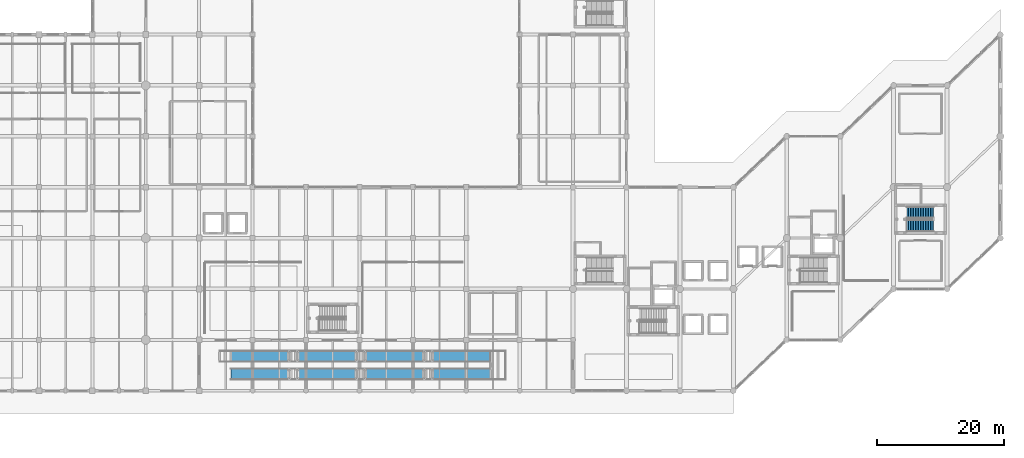
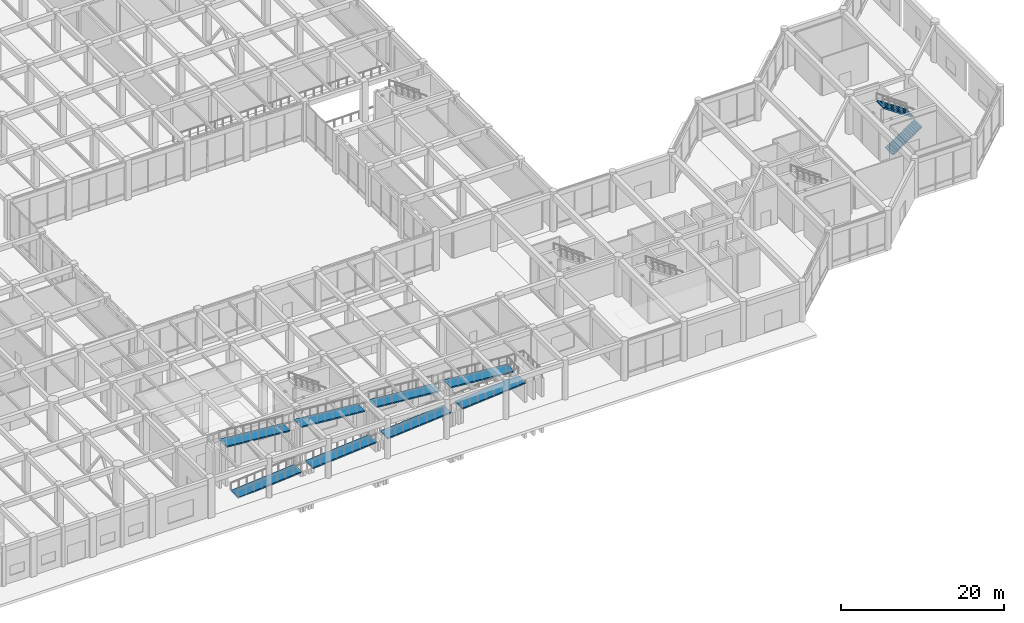
# One storey, part 62 of 76: 8 ramp flights, 2 stair flights, 2 elements without a shape of their own.
"""IFC4 building model written with IfcOpenShell, lengths in metres."""

from ifc_helpers import new_model, si_unit, direction, frame, origin, place, context, subcontext, project, spatial, polyline, outline, extrude, material, layer, layer_set, type_object, element, aggregate, save


model = new_model("IFC4")

# Units and contexts
model_context = context("Model", 3, precision=1e-05, world=origin(), true_north=direction((0.0, 1.0)))
body_context = subcontext(model_context, "Body", "Model", "MODEL_VIEW")
ifc_project = project(units=[si_unit("LENGTHUNIT", "METRE"), si_unit("AREAUNIT", "SQUARE_METRE"), si_unit("VOLUMEUNIT", "CUBIC_METRE"), si_unit("PLANEANGLEUNIT", "RADIAN"), si_unit("MASSUNIT", "GRAM", prefix="KILO")], contexts=[model_context])

# Site, building, storey
site_placement = place(None, origin())
site = spatial("IfcSite", under=ifc_project, at=site_placement, CompositionType="ELEMENT")
building_placement = place(site_placement, origin())
building = spatial("IfcBuilding", under=site, at=building_placement, Name="Naruveol Harbour Congress Hotel", CompositionType="ELEMENT")
storey_placement = place(building_placement, origin())
storey = spatial("IfcBuildingStorey", under=building, at=storey_placement, Name="L00", CompositionType="ELEMENT", Elevation=0.0)

# Stair, stair flights
ifc_material_1 = material(Name="Concrete C40/50", Category="concrete")
stair_type = type_object("IfcStairType", Name="RC DOG LEG ESCAPE STAIR 1800W H6000", PredefinedType="HALF_TURN_STAIR", material=ifc_material_1)
stair_placement = place(storey_placement, origin())
stair = element("IfcStair", 1, at=stair_placement, inside=storey, type_object=stair_type, Name="Special Escape Stair ST4 L00 to L01", PredefinedType="HALF_TURN_STAIR")
ifc_material_2 = material(Name="Concrete C40/50", Category="concrete")
stair_flight_type = type_object("IfcStairFlightType", Name="RC STRAIGHT STAIR FLIGHT 1800W R17", PredefinedType="STRAIGHT", material=ifc_material_2)
stair_flight_1_placement = place(storey_placement, frame((170.10009765625, 25.919921875, 0.0), z_axis=(0.0, 0.0, 1.0), x_axis=(1.0, 0.0, 0.0)))
stair_flight_1 = element("IfcStairFlight", 2, at=stair_flight_1_placement, type_object=stair_flight_type, Name="ST4 L00 lower flight", NumberOfRisers=17, NumberOfTreads=16, PredefinedType="STRAIGHT", RiserHeight=0.176471, TreadLength=0.2625, context=body_context, shape_type="SweptSolid", body=[
    extrude(outline(polyline([(0.0, 0.0), (0.0, 0.176513671875), (0.262451171875, 0.176513671875), (0.262451171875, 0.35302734375), (0.52490234375, 0.35302734375), (0.52490234375, 0.529296875), (0.78759765625, 0.529296875), (0.78759765625, 0.705810546875), (1.050048828125, 0.705810546875), (1.050048828125, 0.88232421875), (1.3125, 0.88232421875), (1.3125, 1.058837890625), (1.574951171875, 1.058837890625), (1.574951171875, 1.2353515625), (1.83740234375, 1.2353515625), (1.83740234375, 1.411865234375), (2.10009765625, 1.411865234375), (2.10009765625, 1.588134765625), (2.362548828125, 1.588134765625), (2.362548828125, 1.7646484375), (2.625, 1.7646484375), (2.625, 1.941162109375), (2.887451171875, 1.941162109375), (2.887451171875, 2.11767578125), (3.14990234375, 2.11767578125), (3.14990234375, 2.294189453125), (3.41259765625, 2.294189453125), (3.41259765625, 2.470703125), (3.675048828125, 2.470703125), (3.675048828125, 2.64697265625), (3.9375, 2.64697265625), (3.9375, 2.823486328125), (4.199951171875, 2.823486328125), (4.199951171875, 3.0), (4.199951171875, 2.630859375), (0.28662109375, 0.0), (0.0, 0.0)])), frame((0.0, 0.89990234375, 0.0), z_axis=(0.0, -1.0, 0.0), x_axis=(1.0, 0.0, 0.0)), (0.0, 0.0, 1.0), 1.800048828125),
])
stair_flight_2_placement = place(storey_placement, frame((174.300048828125, 28.0400390625, 3.0), z_axis=(0.0, 0.0, 1.0), x_axis=(-1.0, 0.0, 0.0)))
stair_flight_2 = element("IfcStairFlight", 3, at=stair_flight_2_placement, type_object=stair_flight_type, Name="ST4 L00 upper flight", NumberOfRisers=17, NumberOfTreads=16, PredefinedType="STRAIGHT", RiserHeight=0.176471, TreadLength=0.2625, context=body_context, shape_type="SweptSolid", body=[
    extrude(outline(polyline([(0.0, 0.0), (0.0, 0.176513671875), (0.262451171875, 0.176513671875), (0.262451171875, 0.35302734375), (0.52490234375, 0.35302734375), (0.52490234375, 0.529296875), (0.78759765625, 0.529296875), (0.78759765625, 0.705810546875), (1.050048828125, 0.705810546875), (1.050048828125, 0.88232421875), (1.3125, 0.88232421875), (1.3125, 1.058837890625), (1.574951171875, 1.058837890625), (1.574951171875, 1.2353515625), (1.83740234375, 1.2353515625), (1.83740234375, 1.411865234375), (2.10009765625, 1.411865234375), (2.10009765625, 1.588134765625), (2.362548828125, 1.588134765625), (2.362548828125, 1.7646484375), (2.625, 1.7646484375), (2.625, 1.941162109375), (2.887451171875, 1.941162109375), (2.887451171875, 2.11767578125), (3.14990234375, 2.11767578125), (3.14990234375, 2.294189453125), (3.41259765625, 2.294189453125), (3.41259765625, 2.470703125), (3.675048828125, 2.470703125), (3.675048828125, 2.64697265625), (3.9375, 2.64697265625), (3.9375, 2.823486328125), (4.199951171875, 2.823486328125), (4.199951171875, 3.0), (4.199951171875, 2.630859375), (0.28662109375, 0.0), (0.0, 0.0)])), frame((0.0, 0.89990234375, 0.0), z_axis=(0.0, -1.0, 0.0), x_axis=(1.0, 0.0, 0.0)), (0.0, 0.0, 1.0), 1.800048828125),
])
aggregate(stair, [stair_flight_1, stair_flight_2])

# Ramp, ramp flights
ifc_material_3 = material(Name="Concrete C40/50", Category="concrete")
ramp_type = type_object("IfcRampType", Name="RC ACCESSIBLE PROMENADE PEDESTRIAN RAMP", PredefinedType="TWO_STRAIGHT_RUN_RAMP", material=ifc_material_3)
ramp_placement = place(storey_placement, origin())
ramp = element("IfcRamp", 4, at=ramp_placement, inside=storey, type_object=ramp_type, Name="Accessible Harbour Promenade Pedestrian Ramp PR-1", PredefinedType="TWO_STRAIGHT_RUN_RAMP")
ifc_material_4 = material(Name="Concrete C40/50", Category="concrete")
ifc_layer = layer(ifc_material_4, 0.199951171875)
ifc_layer_set = layer_set([ifc_layer], Name="Concrete C40/50")
ramp_flight_type = type_object("IfcRampFlightType", Name="RC PEDESTRIAN RAMP FLIGHT 200", PredefinedType="STRAIGHT", material=ifc_layer_set)
ramp_flight_1_placement = place(storey_placement, frame((63.800048828125, 1.699951171875, 0.0), z_axis=(-0.083045479854, 0.0, 0.996545758245), x_axis=(0.996545758245, 0.0, 0.083045479854)))
ramp_flight_1 = element("IfcRampFlight", 5, at=ramp_flight_1_placement, type_object=ramp_flight_type, Name="Accessible promenade ramp flight 1", PredefinedType="STRAIGHT", context=body_context, shape_type="SweptSolid", body=[
    extrude(outline(polyline([(0.0, 0.0), (9.031195934094223, 0.0), (9.031195934094223, 1.800048828125), (0.0, 1.800048828125), (0.0, 0.0)])), origin(), (0.0, 0.0, -1.0), 0.199951171875),
])
ramp_flight_2_placement = place(storey_placement, frame((74.39990234375, 1.699951171875, 0.75), z_axis=(-0.083045479854, 0.0, 0.996545758245), x_axis=(0.996545758245, 0.0, 0.083045479854)))
ramp_flight_2 = element("IfcRampFlight", 6, at=ramp_flight_2_placement, type_object=ramp_flight_type, Name="Accessible promenade ramp flight 2", PredefinedType="STRAIGHT", context=body_context, shape_type="SweptSolid", body=[
    extrude(outline(polyline([(0.0, 0.0), (9.031195934094223, 0.0), (9.031195934094223, 1.800048828125), (0.0, 1.800048828125), (0.0, 0.0)])), origin(), (0.0, 0.0, -1.0), 0.199951171875),
])
ramp_flight_3_placement = place(storey_placement, frame((85.0, 1.699951171875, 1.5), z_axis=(-0.083045479854, 0.0, 0.996545758245), x_axis=(0.996545758245, 0.0, 0.083045479854)))
ramp_flight_3 = element("IfcRampFlight", 7, at=ramp_flight_3_placement, type_object=ramp_flight_type, Name="Accessible promenade ramp flight 3", PredefinedType="STRAIGHT", context=body_context, shape_type="SweptSolid", body=[
    extrude(outline(polyline([(0.0, 0.0), (9.031195934094223, 0.0), (9.031195934094223, 1.800048828125), (0.0, 1.800048828125), (0.0, 0.0)])), origin(), (0.0, 0.0, -1.0), 0.199951171875),
])
ramp_flight_4_placement = place(storey_placement, frame((95.60009765625, 1.699951171875, 2.25), z_axis=(-0.083045479854, 0.0, 0.996545758245), x_axis=(0.996545758245, 0.0, 0.083045479854)))
ramp_flight_4 = element("IfcRampFlight", 8, at=ramp_flight_4_placement, type_object=ramp_flight_type, Name="Accessible promenade ramp flight 4", PredefinedType="STRAIGHT", context=body_context, shape_type="SweptSolid", body=[
    extrude(outline(polyline([(0.0, 0.0), (9.031195934094223, 0.0), (9.031195934094223, 1.800048828125), (0.0, 1.800048828125), (0.0, 0.0)])), origin(), (0.0, 0.0, -1.0), 0.199951171875),
])
ramp_flight_5_placement = place(storey_placement, frame((95.60009765625, 4.5, 3.75), z_axis=(0.083045479854, 0.0, 0.996545758245), x_axis=(0.996545758245, 0.0, -0.083045479854)))
ramp_flight_5 = element("IfcRampFlight", 9, at=ramp_flight_5_placement, type_object=ramp_flight_type, Name="Accessible promenade ramp flight 5", PredefinedType="STRAIGHT", context=body_context, shape_type="SweptSolid", body=[
    extrude(outline(polyline([(0.0, 0.0), (9.031195934094223, 0.0), (9.031195934094223, 1.800048828125), (0.0, 1.800048828125), (0.0, 0.0)])), origin(), (0.0, 0.0, -1.0), 0.199951171875),
])
ramp_flight_6_placement = place(storey_placement, frame((85.0, 4.5, 4.5), z_axis=(0.083045479854, 0.0, 0.996545758245), x_axis=(0.996545758245, 0.0, -0.083045479854)))
ramp_flight_6 = element("IfcRampFlight", 10, at=ramp_flight_6_placement, type_object=ramp_flight_type, Name="Accessible promenade ramp flight 6", PredefinedType="STRAIGHT", context=body_context, shape_type="SweptSolid", body=[
    extrude(outline(polyline([(0.0, 0.0), (9.031195934094223, 0.0), (9.031195934094223, 1.800048828125), (0.0, 1.800048828125), (0.0, 0.0)])), origin(), (0.0, 0.0, -1.0), 0.199951171875),
])
ramp_flight_7_placement = place(storey_placement, frame((74.39990234375, 4.5, 5.25), z_axis=(0.083045479854, 0.0, 0.996545758245), x_axis=(0.996545758245, 0.0, -0.083045479854)))
ramp_flight_7 = element("IfcRampFlight", 11, at=ramp_flight_7_placement, type_object=ramp_flight_type, Name="Accessible promenade ramp flight 7", PredefinedType="STRAIGHT", context=body_context, shape_type="SweptSolid", body=[
    extrude(outline(polyline([(0.0, 0.0), (9.031195934094223, 0.0), (9.031195934094223, 1.800048828125), (0.0, 1.800048828125), (0.0, 0.0)])), origin(), (0.0, 0.0, -1.0), 0.199951171875),
])
ramp_flight_8_placement = place(storey_placement, frame((63.800048828125, 4.5, 6.0), z_axis=(0.083045479854, 0.0, 0.996545758245), x_axis=(0.996545758245, 0.0, -0.083045479854)))
ramp_flight_8 = element("IfcRampFlight", 12, at=ramp_flight_8_placement, type_object=ramp_flight_type, Name="Accessible promenade ramp flight 8", PredefinedType="STRAIGHT", context=body_context, shape_type="SweptSolid", body=[
    extrude(outline(polyline([(0.0, 0.0), (9.031195934094223, 0.0), (9.031195934094223, 1.800048828125), (0.0, 1.800048828125), (0.0, 0.0)])), origin(), (0.0, 0.0, -1.0), 0.199951171875),
])
aggregate(ramp, [ramp_flight_1, ramp_flight_2, ramp_flight_3, ramp_flight_4, ramp_flight_5, ramp_flight_6, ramp_flight_7, ramp_flight_8])

save(model, "model.ifc")
